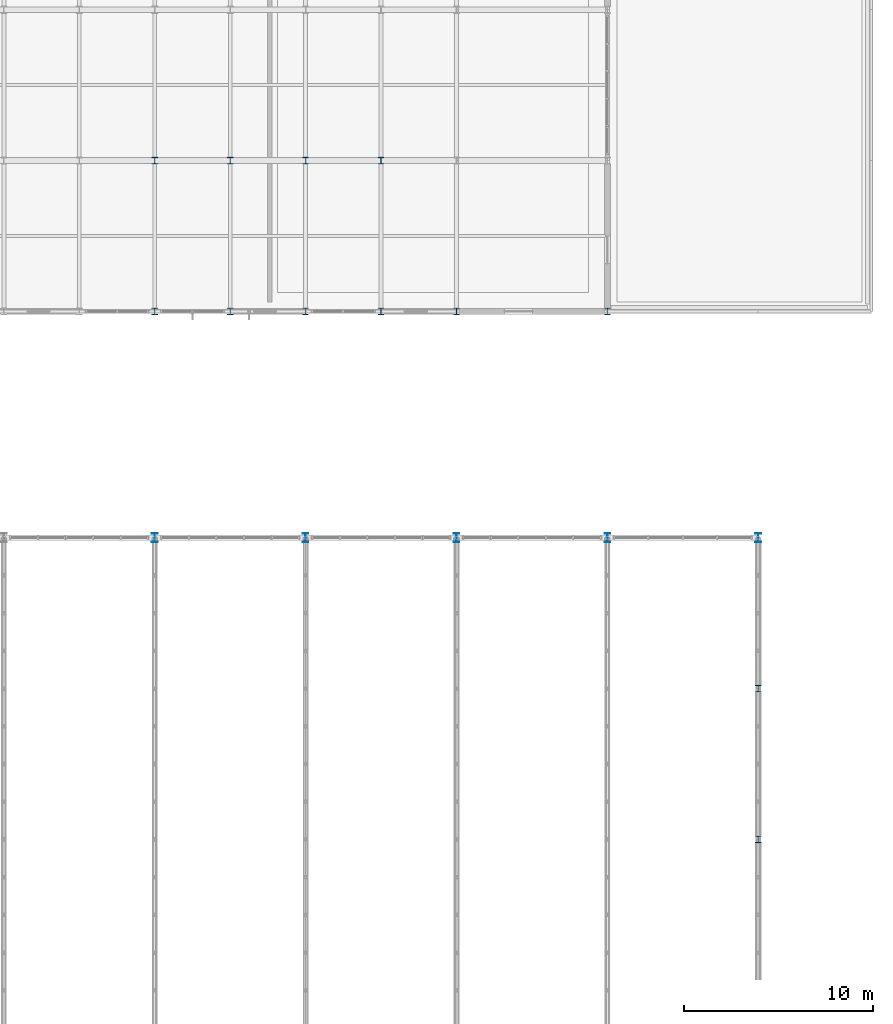
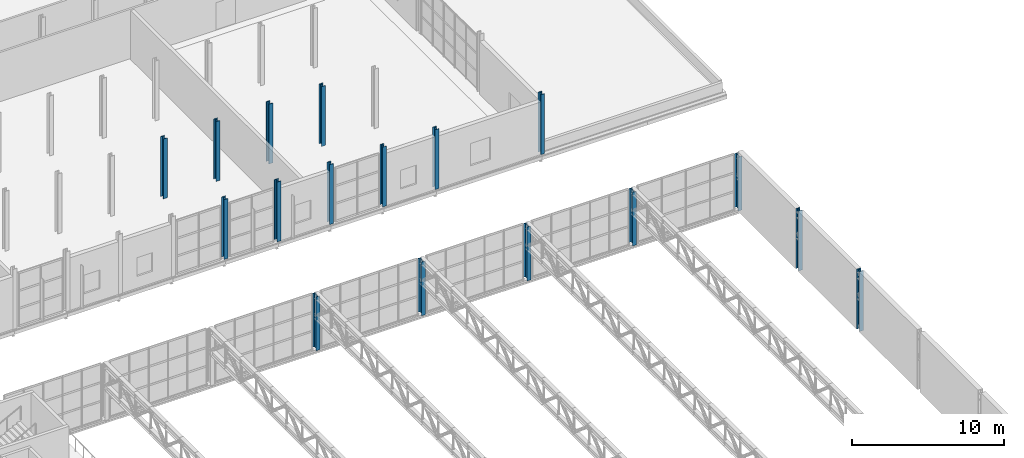
# One storey, part 16 of 143: 17 columns.
"""IFC4 building model written with IfcOpenShell, lengths in metres."""

import ifcopenshell
import ifcopenshell.guid

model = None  # the IFC model being written
_history = None  # IfcOwnerHistory: only IFC2X3 demands one
_inside = {}  # id of a spatial element -> (the spatial element, [elements in it])
_under = {}  # id of a project, library or spatial element -> (it, [spatial elements below it])
_declared = {}  # id of a project -> (the project, [libraries it declares])
_typed = {}  # id of a type object -> (the type object, [elements of that type])
_made_of = {}  # id of a material, layer set ... -> (it, [elements and type objects made of it])


def new_model(schema):
    """Start an empty IFC model of exactly this schema.

    Asked for "IFC4X3", IfcOpenShell would pick the latest addendum, in which some entities
    have other attributes; the version numbers below select the first issue.
    IFC2X3 requires an IfcOwnerHistory on every rooted entity: one is made here for all.
    """
    global model, _history
    if schema == "IFC4X3":
        model = ifcopenshell.file(schema_version=(4, 3, 0, 0))
    else:
        model = ifcopenshell.file(schema=schema)
    _inside.clear()
    _under.clear()
    _declared.clear()
    _typed.clear()
    _made_of.clear()
    _history = None
    if model.schema == "IFC2X3":
        org = make("IfcOrganization", Name="unknown")
        user = make(
            "IfcPersonAndOrganization",
            ThePerson=make("IfcPerson", FamilyName="unknown"),
            TheOrganization=org,
        )
        app = make(
            "IfcApplication",
            ApplicationDeveloper=org,
            Version="unknown",
            ApplicationFullName="unknown",
            ApplicationIdentifier="unknown",
        )
        _history = make(
            "IfcOwnerHistory",
            OwningUser=user,
            OwningApplication=app,
            ChangeAction="ADDED",
            CreationDate=0,
        )
    return model


def make(cls, **values):
    """One entity of the class cls with the attributes given. An attribute that is None is left unset."""
    return model.create_entity(
        cls, **{name: value for name, value in values.items() if value is not None}
    )


def rooted(cls, **values):
    """An entity with a GlobalId (a new one), such as an element, a storey or a relation."""
    return make(cls, GlobalId=ifcopenshell.guid.new(), OwnerHistory=_history, **values)


def si_unit(unit_type, name, prefix=None):
    """IfcSIUnit, for example si_unit("LENGTHUNIT", "METRE", prefix="MILLI")."""
    return make("IfcSIUnit", UnitType=unit_type, Prefix=prefix, Name=name)


def derived_unit(unit_type, elements):
    """IfcDerivedUnit: a product of units, each with its exponent."""
    return make(
        "IfcDerivedUnit",
        Elements=[
            make("IfcDerivedUnitElement", Unit=unit, Exponent=power)
            for unit, power in elements
        ],
        UnitType=unit_type,
    )


def assignment(units):
    """IfcUnitAssignment: the units of a project."""
    return None if units is None else make("IfcUnitAssignment", Units=units)


def point(xyz):
    """IfcCartesianPoint."""
    return None if xyz is None else make("IfcCartesianPoint", Coordinates=xyz)


def direction(xyz):
    """IfcDirection."""
    return None if xyz is None else make("IfcDirection", DirectionRatios=xyz)


def frame(location, z_axis=None, x_axis=None):
    """IfcAxis2Placement3D, a coordinate frame: its origin and axes. An axis left out is left unset."""
    return make(
        "IfcAxis2Placement3D",
        Location=point(location),
        Axis=direction(z_axis),
        RefDirection=direction(x_axis),
    )


def frame_2d(location, x_axis=None):
    """IfcAxis2Placement2D, a coordinate frame in the plane: its origin and x axis."""
    return make(
        "IfcAxis2Placement2D", Location=point(location), RefDirection=direction(x_axis)
    )


def origin():
    """The frame at (0, 0, 0) with its axes left unset."""
    return frame((0.0, 0.0, 0.0))


def origin_2d():
    """The frame at (0, 0) in the plane with its x axis left unset."""
    return frame_2d((0.0, 0.0))


def place(relative_to, where):
    """IfcLocalPlacement: puts the frame where relative to a parent placement (None: the world)."""
    return make(
        "IfcLocalPlacement", PlacementRelTo=relative_to, RelativePlacement=where
    )


def context(
    kind, dimensions, precision=None, world=None, true_north=None, identifier=None
):
    """IfcGeometricRepresentationContext, for example the 3D "Model" context."""
    return make(
        "IfcGeometricRepresentationContext",
        ContextIdentifier=identifier,
        ContextType=kind,
        CoordinateSpaceDimension=dimensions,
        Precision=precision,
        WorldCoordinateSystem=world,
        TrueNorth=true_north,
    )


def subcontext(parent, identifier, kind, view, scale=None):
    """IfcGeometricRepresentationSubContext, for example "Body" below "Model"."""
    return make(
        "IfcGeometricRepresentationSubContext",
        ContextIdentifier=identifier,
        ContextType=kind,
        ParentContext=parent,
        TargetScale=scale,
        TargetView=view,
    )


def project(units=None, contexts=None):
    """IfcProject with its units and contexts."""
    return rooted(
        "IfcProject",
        Name="project",
        RepresentationContexts=contexts,
        UnitsInContext=assignment(units),
    )


def spatial(cls, under=None, at=None, **own):
    """A site, building, storey or space (cls), placed at a placement, below another one or the project."""
    s = rooted(cls, ObjectPlacement=at, **own)
    if under is not None:
        _under.setdefault(under.id(), (under, []))[1].append(s)
    return s


def profile(cls, at=None, kind="AREA", **sizes):
    """A parametric profile (cls). Its sizes go by their IFC names, for example OverallWidth=200.0."""
    return make(cls, ProfileType=kind, Position=at, **sizes)


def i_section(**sizes):
    """IfcIShapeProfileDef."""
    return profile("IfcIShapeProfileDef", **sizes)


def extrude(swept, where, along, depth):
    """IfcExtrudedAreaSolid: the profile swept, set in the frame where, extruded along a direction by depth."""
    return make(
        "IfcExtrudedAreaSolid",
        SweptArea=swept,
        Position=where,
        ExtrudedDirection=direction(along),
        Depth=depth,
    )


def shape(context_of_items, identifier, shape_type, items):
    """IfcShapeRepresentation: the items that make up one representation, for example the "Body"."""
    return make(
        "IfcShapeRepresentation",
        ContextOfItems=context_of_items,
        RepresentationIdentifier=identifier,
        RepresentationType=shape_type,
        Items=items,
    )


def material(Name=None, Category=None):
    """IfcMaterial."""
    return make("IfcMaterial", Name=Name, Category=Category)


def material_profile(
    of_material, cross_section, Name=None, Category=None, Priority=None
):
    """IfcMaterialProfile: a cross section and its material."""
    return make(
        "IfcMaterialProfile",
        Name=Name,
        Material=of_material,
        Profile=cross_section,
        Priority=Priority,
        Category=Category,
    )


def profile_set(profiles, Name=None, composite=None):
    """IfcMaterialProfileSet."""
    return make(
        "IfcMaterialProfileSet",
        Name=Name,
        MaterialProfiles=profiles,
        CompositeProfile=composite,
    )


def made_of(thing, what):
    """Note that an element or type object is made of a material, layer set ...; save() writes the relation."""
    if what is not None:
        _made_of.setdefault(what.id(), (what, []))[1].append(thing)
    return thing


def type_object(cls, material=None, **own):
    """A type object (cls), such as IfcWallType, which elements share."""
    return made_of(rooted(cls, **own), material)


def element(
    cls,
    number,
    at=None,
    inside=None,
    cuts=None,
    type_object=None,
    material=None,
    context=None,
    identifier="Body",
    shape_type=None,
    held_by="IfcProductDefinitionShape",
    body=None,
    shapes=None,
    **own,
):
    """One element of the class cls, such as IfcWall. Its Tag is "e" and its number.

    at: its placement. inside: the storey or other place that contains it. cuts: it is an
    opening in that element (IfcRelVoidsElement). A single representation is given by context,
    identifier, shape_type and body (its items); several are given by shapes. held_by: the class
    of the entity that holds the representations. save() writes the other relations.
    """
    e = rooted(cls, Tag="e%d" % number, ObjectPlacement=at, **own)
    if body is not None:
        shapes = [shape(context, identifier, shape_type, body)]
    if shapes is not None:
        e.Representation = make(held_by, Representations=shapes)
    if inside is not None:
        _inside.setdefault(inside.id(), (inside, []))[1].append(e)
    if cuts is not None:
        rooted(
            "IfcRelVoidsElement", RelatingBuildingElement=cuts, RelatedOpeningElement=e
        )
    if type_object is not None:
        _typed.setdefault(type_object.id(), (type_object, []))[1].append(e)
    return made_of(e, material)


def aggregate(whole, parts):
    """IfcRelAggregates: a whole, such as a stair, and the parts it consists of."""
    return rooted("IfcRelAggregates", RelatingObject=whole, RelatedObjects=parts)


def save(model, path):
    """Write the relations noted so far, then the file.

    IfcRelAggregates (storeys below a building ...), IfcRelContainedInSpatialStructure (elements
    in a storey), IfcRelDefinesByType, IfcRelAssociatesMaterial and IfcRelDeclares: one each for
    every whole, place, type object, material and project.
    """
    for whole, parts in _under.values():
        aggregate(whole, parts)
    for where, things in _inside.values():
        rooted(
            "IfcRelContainedInSpatialStructure",
            RelatedElements=things,
            RelatingStructure=where,
        )
    for kind, things in _typed.values():
        rooted("IfcRelDefinesByType", RelatedObjects=things, RelatingType=kind)
    for what, things in _made_of.values():
        rooted("IfcRelAssociatesMaterial", RelatedObjects=things, RelatingMaterial=what)
    for by, libraries in _declared.values():
        rooted("IfcRelDeclares", RelatingContext=by, RelatedDefinitions=libraries)
    model.write(path)


model = new_model("IFC4")

# Units and contexts
model_context = context("Model", 3, precision=1e-05, world=origin(), true_north=direction((0.0, 1.0)))
body_context = subcontext(model_context, "Body", "Model", "MODEL_VIEW")
ifc_project = project(units=[si_unit("LENGTHUNIT", "METRE"), si_unit("AREAUNIT", "SQUARE_METRE"), si_unit("VOLUMEUNIT", "CUBIC_METRE"), si_unit("PLANEANGLEUNIT", "RADIAN"), si_unit("MASSUNIT", "GRAM", prefix="KILO"), derived_unit("THERMALTRANSMITTANCEUNIT", [(si_unit("POWERUNIT", "WATT"), 1), (si_unit("LENGTHUNIT", "METRE"), -2), (si_unit("THERMODYNAMICTEMPERATUREUNIT", "KELVIN"), -1)])], contexts=[model_context])

# Site, building, storey
site_placement = place(None, origin())
site = spatial("IfcSite", under=ifc_project, at=site_placement, CompositionType="ELEMENT")
building_placement = place(site_placement, origin())
building = spatial("IfcBuilding", under=site, at=building_placement, Name="Keldorne Ridge Multi-Sports Centre", CompositionType="ELEMENT")
storey_placement = place(building_placement, frame((0.0, 0.0, 4.800048828125)))
storey = spatial("IfcBuildingStorey", under=building, at=storey_placement, Name="L01", CompositionType="ELEMENT", Elevation=4.800048828125)

# Columns
ifc_material = material(Name="Steel S355", Category="steel")
ifc_material_profile_1 = material_profile(ifc_material, i_section(OverallWidth=0.300048828125, OverallDepth=0.5, WebThickness=0.014404296875, FlangeThickness=0.028076171875, FilletRadius=0.027099609375, at=origin_2d()), Name="HEB 500")
ifc_profile_set_1 = profile_set([ifc_material_profile_1], Name="Steel S355")
column_type_1 = type_object("IfcColumnType", Name="COL-C-05", PredefinedType="COLUMN", material=ifc_profile_set_1)
for number, where, z_axis, x_axis, name in (
    (1, (136.0, 54.0, 0.0), (0.0, 0.0, 1.0), (1.0, 0.0, 0.0), "Structural column V2-TRUSS-N-05 on L01"),
    (2, (144.0, 54.0, 0.0), (0.0, 0.0, 1.0), (1.0, 0.0, 0.0), "Structural column V2-TRUSS-N-06 on L01"),
    (3, (152.0, 54.0, 0.0), (0.0, 0.0, 1.0), (1.0, 0.0, 0.0), "Structural column V2-TRUSS-N-07 on L01"),
    (4, (160.0, 54.0, 0.0), (0.0, 0.0, 1.0), (1.0, 0.0, 0.0), "Structural column V2-TRUSS-N-08 on L01"),
    (5, (168.0, 54.0, 0.0), (0.0, 0.0, 1.0), (1.0, 0.0, 0.0), "Structural column V2-TRUSS-N-09 on L01"),
):
    element("IfcColumn", number, at=place(storey_placement, frame(where, z_axis=z_axis, x_axis=x_axis)), inside=storey, type_object=column_type_1, Name=name, PredefinedType="COLUMN", context=body_context, shape_type="SweptSolid", body=[
        extrude(i_section(OverallWidth=0.300048828125, OverallDepth=0.5, WebThickness=0.014404296875, FlangeThickness=0.028076171875, FilletRadius=0.027099609375, at=origin_2d()), origin(), (0.0, 0.0, 1.0), 4.31005859375),
    ])
ifc_material_profile_2 = material_profile(ifc_material, i_section(OverallWidth=0.300048828125, OverallDepth=0.360107421875, WebThickness=0.012451171875, FlangeThickness=0.0224609375, FilletRadius=0.027099609375, at=origin_2d()), Name="HEB 360")
ifc_profile_set_2 = profile_set([ifc_material_profile_2], Name="Steel S355")
column_type_2 = type_object("IfcColumnType", Name="COL-C-10", PredefinedType="COLUMN", material=ifc_profile_set_2)
for number, where, z_axis, x_axis, name in (
    (6, (168.0, 38.0, 0.0), (0.0, 0.0, 1.0), (1.0, 0.0, 0.0), "Structural column V2-GABLE-E-04 on L01"),
    (7, (168.0, 46.0, 0.0), (0.0, 0.0, 1.0), (1.0, 0.0, 0.0), "Structural column V2-GABLE-E-05 on L01"),
    (8, (136.0, 66.0, 0.0), (0.0, 0.0, 1.0), (1.0, 0.0, 0.0), "Structural column V5-C-07-01 on L01"),
    (9, (136.0, 74.0, 0.0), (0.0, 0.0, 1.0), (1.0, 0.0, 0.0), "Structural column V5-C-07-02 on L01"),
    (10, (140.0, 66.0, 0.0), (0.0, 0.0, 1.0), (1.0, 0.0, 0.0), "Structural column V5-C-08-01 on L01"),
    (11, (140.0, 74.0, 0.0), (0.0, 0.0, 1.0), (1.0, 0.0, 0.0), "Structural column V5-C-08-02 on L01"),
    (12, (144.0, 66.0, 0.0), (0.0, 0.0, 1.0), (1.0, 0.0, 0.0), "Structural column V5-C-09-01 on L01"),
    (13, (144.0, 74.0, 0.0), (0.0, 0.0, 1.0), (1.0, 0.0, 0.0), "Structural column V5-C-09-02 on L01"),
    (14, (148.0, 66.0, 0.0), (0.0, 0.0, 1.0), (1.0, 0.0, 0.0), "Structural column V5-C-10-01 on L01"),
    (15, (148.0, 74.0, 0.0), (0.0, 0.0, 1.0), (1.0, 0.0, 0.0), "Structural column V5-C-10-02 on L01"),
    (16, (152.0, 66.0, 0.0), (0.0, 0.0, 1.0), (1.0, 0.0, 0.0), "Structural column V5-C-11-01 on L01"),
    (17, (160.0, 66.0, 0.0), (0.0, 0.0, 1.0), (1.0, 0.0, 0.0), "Structural column V5-C-12-01 on L01"),
):
    element("IfcColumn", number, at=place(storey_placement, frame(where, z_axis=z_axis, x_axis=x_axis)), inside=storey, type_object=column_type_2, Name=name, PredefinedType="COLUMN", context=body_context, shape_type="SweptSolid", body=[
        extrude(i_section(OverallWidth=0.300048828125, OverallDepth=0.360107421875, WebThickness=0.012451171875, FlangeThickness=0.0224609375, FilletRadius=0.027099609375, at=origin_2d()), origin(), (0.0, 0.0, 1.0), 4.800048828125),
    ])

save(model, "model.ifc")
